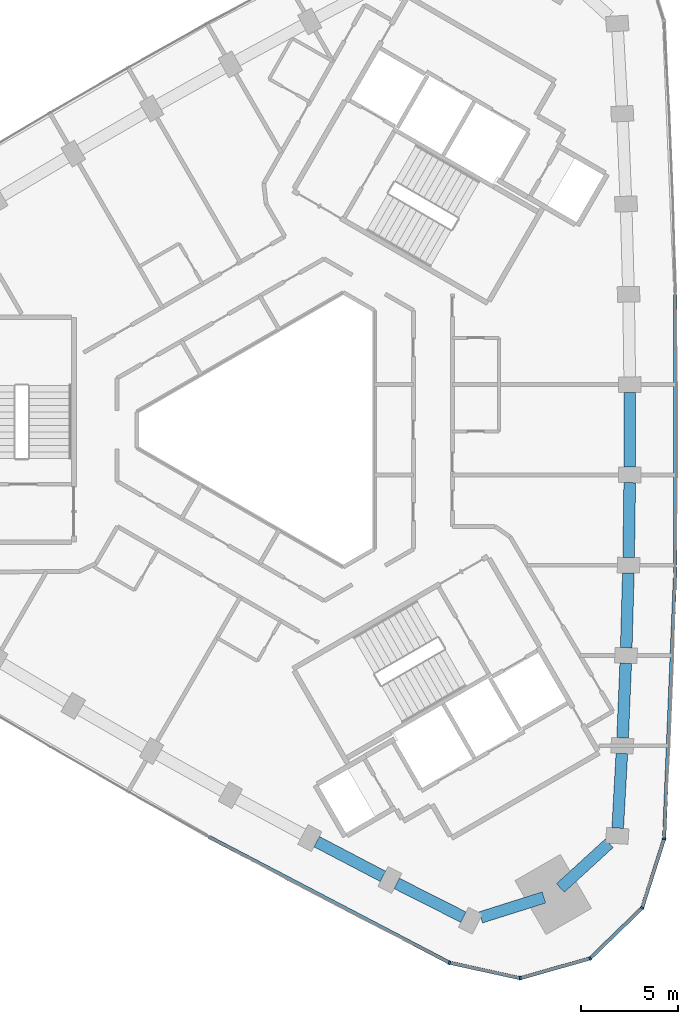
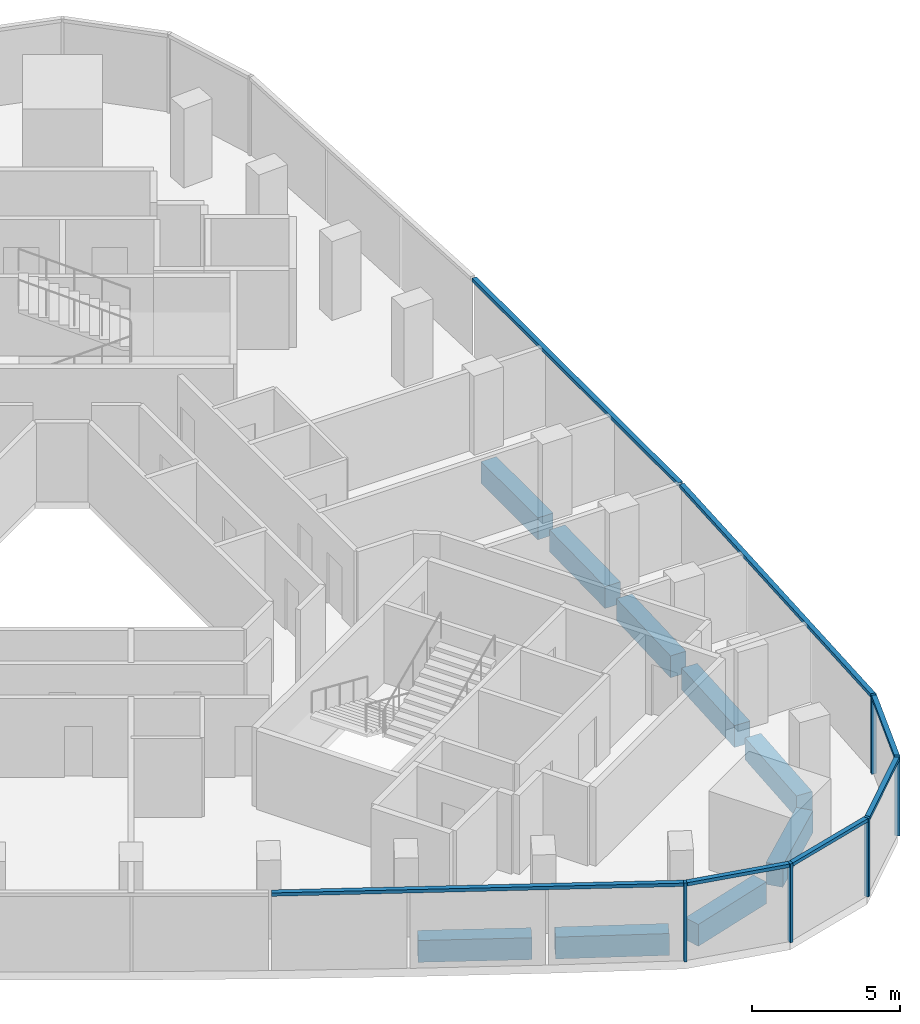
# One storey, part 3 of 12: 12 members, 9 beams, 2 elements without a shape of their own.
"""IFC4 building model written with IfcOpenShell, lengths in metres."""

from ifc_helpers import new_model, si_unit, direction, frame, origin, origin_2d, place, context, subcontext, project, spatial, rectangle, extrude, material, material_profile, profile_set, type_object, element, aggregate, save


model = new_model("IFC4")

# Units and contexts
model_context = context("Model", 3, precision=1e-05, world=origin(), true_north=direction((0.0, 1.0)))
body_context = subcontext(model_context, "Body", "Model", "MODEL_VIEW")
ifc_project = project(units=[si_unit("LENGTHUNIT", "METRE"), si_unit("AREAUNIT", "SQUARE_METRE"), si_unit("VOLUMEUNIT", "CUBIC_METRE"), si_unit("PLANEANGLEUNIT", "RADIAN"), si_unit("MASSUNIT", "GRAM", prefix="KILO")], contexts=[model_context])

# Site, building, storey
site_placement = place(None, origin())
site = spatial("IfcSite", under=ifc_project, at=site_placement, CompositionType="ELEMENT")
building_placement = place(site_placement, origin())
building = spatial("IfcBuilding", under=site, at=building_placement, Name="Tamra Quay Hotel Tower", CompositionType="ELEMENT")
storey_placement = place(building_placement, frame((0.0, 0.0, 200.800048828125)))
storey = spatial("IfcBuildingStorey", under=building, at=storey_placement, Name="L50", CompositionType="ELEMENT", Elevation=200.800048828125)

# Curtain wall, member
ifc_material_1 = material(Name="Aluminium 6063 anodised dark grey", Category="aluminium")
curtain_wall_type_1 = type_object("IfcCurtainWallType", Name="CW1 CURTAIN WALL", PredefinedType="NOTDEFINED", material=ifc_material_1)
curtain_wall_1_placement = place(storey_placement, origin())
curtain_wall_1 = element("IfcCurtainWall", 1, at=curtain_wall_1_placement, inside=storey, type_object=curtain_wall_type_1, Name="CW1 east face L50", PredefinedType="NOTDEFINED")
ifc_material_profile_1 = material_profile(ifc_material_1, rectangle(XDim=0.179931640625, YDim=0.10009765625, at=origin_2d()), Name="MULLION 100X180")
ifc_profile_set_1 = profile_set([ifc_material_profile_1], Name="Aluminium 6063 anodised dark grey")
member_type_1 = type_object("IfcMemberType", Name="MULLION CW1 Z4", PredefinedType="MULLION", material=ifc_profile_set_1)
member_1_placement = place(storey_placement, frame((19.4755859375, -21.00537109375, 0.0), z_axis=(0.0, 0.0, 1.0), x_axis=(0.98350948997, -0.180856526394, 0.0)))
member_1 = element("IfcMember", 2, at=member_1_placement, type_object=member_type_1, Name="CW1 mullion L50.E.1", PredefinedType="MULLION", context=body_context, shape_type="SweptSolid", body=[
    extrude(rectangle(XDim=0.179931640625, YDim=0.10009765625, at=origin_2d()), origin(), (0.0, 0.0, 1.0), 3.25),
])

# Curtain wall, members
curtain_wall_type_2 = type_object("IfcCurtainWallType", Name="CW3 CURTAIN WALL", PredefinedType="NOTDEFINED", material=ifc_material_1)
curtain_wall_2_placement = place(storey_placement, origin())
curtain_wall_2 = element("IfcCurtainWall", 3, at=curtain_wall_2_placement, inside=storey, type_object=curtain_wall_type_2, Name="CW3 south-west face L50", PredefinedType="NOTDEFINED")
ifc_material_profile_2 = material_profile(ifc_material_1, rectangle(XDim=0.179931640625, YDim=0.10009765625, at=origin_2d()), Name="MULLION 100X180")
ifc_profile_set_2 = profile_set([ifc_material_profile_2], Name="Aluminium 6063 anodised dark grey")
member_type_2 = type_object("IfcMemberType", Name="MULLION CW3 Z4", PredefinedType="MULLION", material=ifc_profile_set_2)
member_2_placement = place(storey_placement, frame((8.453369140625, -27.369140625, 0.0), z_axis=(0.0, 0.0, 1.0), x_axis=(-0.335128398687, -0.942172466374, 0.0)))
member_2 = element("IfcMember", 4, at=member_2_placement, type_object=member_type_2, Name="CW3 mullion L50.SW.10", PredefinedType="MULLION", context=body_context, shape_type="SweptSolid", body=[
    extrude(rectangle(XDim=0.179931640625, YDim=0.10009765625, at=origin_2d()), origin(), (0.0, 0.0, 1.0), 3.25),
])
member_3_placement = place(storey_placement, frame((12.091064453125, -28.164794921875, 0.0), z_axis=(0.0, 0.0, 1.0), x_axis=(0.030975337936, -0.999520149091, 0.0)))
member_3 = element("IfcMember", 5, at=member_3_placement, type_object=member_type_2, Name="CW3 mullion L50.SW.11", PredefinedType="MULLION", context=body_context, shape_type="SweptSolid", body=[
    extrude(rectangle(XDim=0.179931640625, YDim=0.10009765625, at=origin_2d()), origin(), (0.0, 0.0, 1.0), 3.25),
])
member_4_placement = place(storey_placement, frame((15.67236328125, -27.145263671875, 0.0), z_axis=(0.0, 0.0, 1.0), x_axis=(0.5, -0.866025403784, 0.0)))
member_4 = element("IfcMember", 6, at=member_4_placement, type_object=member_type_2, Name="CW3 mullion L50.SW.12", PredefinedType="MULLION", context=body_context, shape_type="SweptSolid", body=[
    extrude(rectangle(XDim=0.179931640625, YDim=0.10009765625, at=origin_2d()), origin(), (0.0, 0.0, 1.0), 3.25),
])
member_5_placement = place(storey_placement, frame((18.345947265625, -24.553466796875, 0.0), z_axis=(0.0, 0.0, 1.0), x_axis=(0.85012217174, -0.526585504089, 0.0)))
member_5 = element("IfcMember", 7, at=member_5_placement, type_object=member_type_2, Name="CW3 mullion L50.SW.13", PredefinedType="MULLION", context=body_context, shape_type="SweptSolid", body=[
    extrude(rectangle(XDim=0.179931640625, YDim=0.10009765625, at=origin_2d()), origin(), (0.0, 0.0, 1.0), 3.25),
])

# Beams
ifc_material_2 = material(Name="Concrete M60", Category="concrete")
ifc_material_profile_3 = material_profile(ifc_material_2, rectangle(XDim=0.60009765625, YDim=0.89990234375, at=origin_2d()), Name="SPANDREL BEAM RC 600x900")
ifc_profile_set_3 = profile_set([ifc_material_profile_3], Name="Concrete M60")
beam_type = type_object("IfcBeamType", Name="SPANDREL BEAM RC 600x900", PredefinedType="SPANDREL", material=ifc_profile_set_3)
beam_1_placement = place(storey_placement, frame((17.091796875, -20.456787109375, -0.800048828125), z_axis=(0.055346700292, 0.99846719664, 0.0), x_axis=(-0.99846719664, 0.055346700292, 0.0)))
element("IfcBeam", 8, at=beam_1_placement, inside=storey, type_object=beam_type, Name="BM-SP4-000-L50", PredefinedType="SPANDREL", context=body_context, shape_type="SweptSolid", body=[
    extrude(rectangle(XDim=0.60009765625, YDim=0.89990234375, at=origin_2d()), origin(), (0.0, 0.0, 1.0), 3.837646484375),
])
beam_2_placement = place(storey_placement, frame((17.343017578125, -15.82568359375, -0.800048828125), z_axis=(0.041609373826, 0.999133954988, 0.0), x_axis=(-0.999133954988, 0.041609373826, 0.0)))
element("IfcBeam", 9, at=beam_2_placement, inside=storey, type_object=beam_type, Name="BM-SP4-001-L50", PredefinedType="SPANDREL", context=body_context, shape_type="SweptSolid", body=[
    extrude(rectangle(XDim=0.60009765625, YDim=0.89990234375, at=origin_2d()), origin(), (0.0, 0.0, 1.0), 3.83740234375),
])
beam_3_placement = place(storey_placement, frame((17.530517578125, -11.192138671875, -0.800048828125), z_axis=(0.02773528523, 0.999615302981, 0.0), x_axis=(-0.999615302981, 0.02773528523, 0.0)))
element("IfcBeam", 10, at=beam_3_placement, inside=storey, type_object=beam_type, Name="BM-SP4-002-L50", PredefinedType="SPANDREL", context=body_context, shape_type="SweptSolid", body=[
    extrude(rectangle(XDim=0.60009765625, YDim=0.89990234375, at=origin_2d()), origin(), (0.0, 0.0, 1.0), 3.837890625),
])
for number, where, z_axis, x_axis, name in (
    (11, (17.65380859375, -6.555908203125, -0.800048828125), (0.01380539035, 0.999904701058, 0.0), (-0.999904701058, 0.01380539035, 0.0), "BM-SP4-003-L50"),
    (12, (17.71240234375, -1.918701171875, -0.800048828125), (0.0, 1.0, 0.0), (-1.0, 0.0, 0.0), "BM-SP4-004-L50"),
    (13, (1.6337890625, -21.153564453125, -0.800048828125), (0.886043134182, -0.463602808845, 0.0), (0.463602808845, 0.886043134182, 0.0), "BM-SP4-029-L50"),
):
    element("IfcBeam", number, at=place(storey_placement, frame(where, z_axis=z_axis, x_axis=x_axis)), inside=storey, type_object=beam_type, Name=name, PredefinedType="SPANDREL", context=body_context, shape_type="SweptSolid", body=[
        extrude(rectangle(XDim=0.60009765625, YDim=0.89990234375, at=origin_2d()), origin(), (0.0, 0.0, 1.0), 3.83740234375),
    ])
beam_4_placement = place(storey_placement, frame((5.745361328125, -23.29833984375, -0.800048828125), z_axis=(0.892407883039, -0.451229620359, 0.0), x_axis=(0.451229620359, 0.892407883039, 0.0)))
element("IfcBeam", 14, at=beam_4_placement, inside=storey, type_object=beam_type, Name="BM-SP4-030-L50", PredefinedType="SPANDREL", context=body_context, shape_type="SweptSolid", body=[
    extrude(rectangle(XDim=0.60009765625, YDim=0.89990234375, at=origin_2d()), origin(), (0.0, 0.0, 1.0), 3.837646484375),
])
beam_5_placement = place(storey_placement, frame((10.057373046875, -25.043212890625, -0.800048828125), z_axis=(0.953502415748, 0.301385373174, 0.0), x_axis=(-0.301385373174, 0.953502415748, 0.0)))
element("IfcBeam", 15, at=beam_5_placement, inside=storey, type_object=beam_type, Name="BM-SP4-031-L50", PredefinedType="SPANDREL", context=body_context, shape_type="SweptSolid", body=[
    extrude(rectangle(XDim=0.60009765625, YDim=0.89990234375, at=origin_2d()), origin(), (0.0, 0.0, 1.0), 3.40380859375),
])
beam_6_placement = place(storey_placement, frame((14.14794921875, -23.52978515625, -0.800048828125), z_axis=(0.737716497183, 0.675110635218, 0.0), x_axis=(-0.675110635218, 0.737716497183, 0.0)))
element("IfcBeam", 16, at=beam_6_placement, inside=storey, type_object=beam_type, Name="BM-SP4-032-L50", PredefinedType="SPANDREL", context=body_context, shape_type="SweptSolid", body=[
    extrude(rectangle(XDim=0.60009765625, YDim=0.89990234375, at=origin_2d()), origin(), (0.0, 0.0, 1.0), 3.404296875),
])

# Member
ifc_material_profile_4 = material_profile(ifc_material_1, rectangle(XDim=0.179931640625, YDim=0.139892578125, at=origin_2d()), Name="TRANSOM 180X140")
ifc_profile_set_4 = profile_set([ifc_material_profile_4], Name="Aluminium 6063 anodised dark grey")
member_type_3 = type_object("IfcMemberType", Name="TRANSOM CW1 Z4", PredefinedType="USERDEFINED", material=ifc_profile_set_4)
member_6_placement = place(storey_placement, frame((19.478515625, -20.95556640625, 3.179931640625), z_axis=(0.041576525187, 0.999135322443, 0.0), x_axis=(-0.999135322443, 0.041576525187, 0.0)))
member_6 = element("IfcMember", 17, at=member_6_placement, type_object=member_type_3, Name="CW1 transom L50.E.1", ObjectType="TRANSOM", PredefinedType="USERDEFINED", context=body_context, shape_type="SweptSolid", body=[
    extrude(rectangle(XDim=0.179931640625, YDim=0.139892578125, at=origin_2d()), origin(), (0.0, 0.0, 1.0), 13.910888671875),
])

member_7_placement = place(storey_placement, frame((20.05908203125, -6.956787109375, 3.179931640625), z_axis=(0.0, 1.0, 0.0), x_axis=(-1.0, 0.0, 0.0)))
member_7 = element("IfcMember", 18, at=member_7_placement, type_object=member_type_3, Name="CW1 transom L50.E.4", ObjectType="TRANSOM", PredefinedType="USERDEFINED", context=body_context, shape_type="SweptSolid", body=[
    extrude(rectangle(XDim=0.179931640625, YDim=0.139892578125, at=origin_2d()), origin(), (0.0, 0.0, 1.0), 13.91357421875),
])

aggregate(curtain_wall_1, [member_1, member_6, member_7])

ifc_material_profile_5 = material_profile(ifc_material_1, rectangle(XDim=0.179931640625, YDim=0.139892578125, at=origin_2d()), Name="TRANSOM 180X140")
ifc_profile_set_5 = profile_set([ifc_material_profile_5], Name="Aluminium 6063 anodised dark grey")
member_type_4 = type_object("IfcMemberType", Name="TRANSOM CW3 Z4", PredefinedType="USERDEFINED", material=ifc_profile_set_5)
member_8_placement = place(storey_placement, frame((-3.917236328125, -20.898193359375, 3.179931640625), z_axis=(0.886073593198, -0.463544590559, 0.0), x_axis=(0.463544590559, 0.886073593198, 0.0)))
member_8 = element("IfcMember", 19, at=member_8_placement, type_object=member_type_4, Name="CW3 transom L50.SW.7", ObjectType="TRANSOM", PredefinedType="USERDEFINED", context=body_context, shape_type="SweptSolid", body=[
    extrude(rectangle(XDim=0.179931640625, YDim=0.139892578125, at=origin_2d()), origin(), (0.0, 0.0, 1.0), 13.91064453125),
])

member_9_placement = place(storey_placement, frame((8.502197265625, -27.3798828125, 3.179931640625), z_axis=(0.976912322542, -0.21364061895, 0.0), x_axis=(0.21364061895, 0.976912322542, 0.0)))
member_9 = element("IfcMember", 20, at=member_9_placement, type_object=member_type_4, Name="CW3 transom L50.SW.10", ObjectType="TRANSOM", PredefinedType="USERDEFINED", context=body_context, shape_type="SweptSolid", body=[
    extrude(rectangle(XDim=0.179931640625, YDim=0.139892578125, at=origin_2d()), origin(), (0.0, 0.0, 1.0), 3.623779296875),
])

member_10_placement = place(storey_placement, frame((12.13916015625, -28.151123046875, 3.179931640625), z_axis=(0.961782850697, 0.273813345375, 0.0), x_axis=(-0.273813345375, 0.961782850697, 0.0)))
member_10 = element("IfcMember", 21, at=member_10_placement, type_object=member_type_4, Name="CW3 transom L50.SW.11", ObjectType="TRANSOM", PredefinedType="USERDEFINED", context=body_context, shape_type="SweptSolid", body=[
    extrude(rectangle(XDim=0.179931640625, YDim=0.139892578125, at=origin_2d()), origin(), (0.0, 0.0, 1.0), 3.62353515625),
])

member_11_placement = place(storey_placement, frame((15.708251953125, -27.110595703125, 3.179931640625), z_axis=(0.718003439243, 0.696039554361, 0.0), x_axis=(-0.696039554361, 0.718003439243, 0.0)))
member_11 = element("IfcMember", 22, at=member_11_placement, type_object=member_type_4, Name="CW3 transom L50.SW.12", ObjectType="TRANSOM", PredefinedType="USERDEFINED", context=body_context, shape_type="SweptSolid", body=[
    extrude(rectangle(XDim=0.179931640625, YDim=0.139892578125, at=origin_2d()), origin(), (0.0, 0.0, 1.0), 3.623779296875),
])

member_12_placement = place(storey_placement, frame((18.361083984375, -24.505859375, 3.179931640625), z_axis=(0.303384410911, 0.952868248614, 0.0), x_axis=(-0.952868248614, 0.303384410911, 0.0)))
member_12 = element("IfcMember", 23, at=member_12_placement, type_object=member_type_4, Name="CW3 transom L50.SW.13", ObjectType="TRANSOM", PredefinedType="USERDEFINED", context=body_context, shape_type="SweptSolid", body=[
    extrude(rectangle(XDim=0.179931640625, YDim=0.139892578125, at=origin_2d()), origin(), (0.0, 0.0, 1.0), 3.623779296875),
])

aggregate(curtain_wall_2, [member_8, member_2, member_9, member_3, member_10, member_4, member_11, member_5, member_12])

save(model, "model.ifc")
